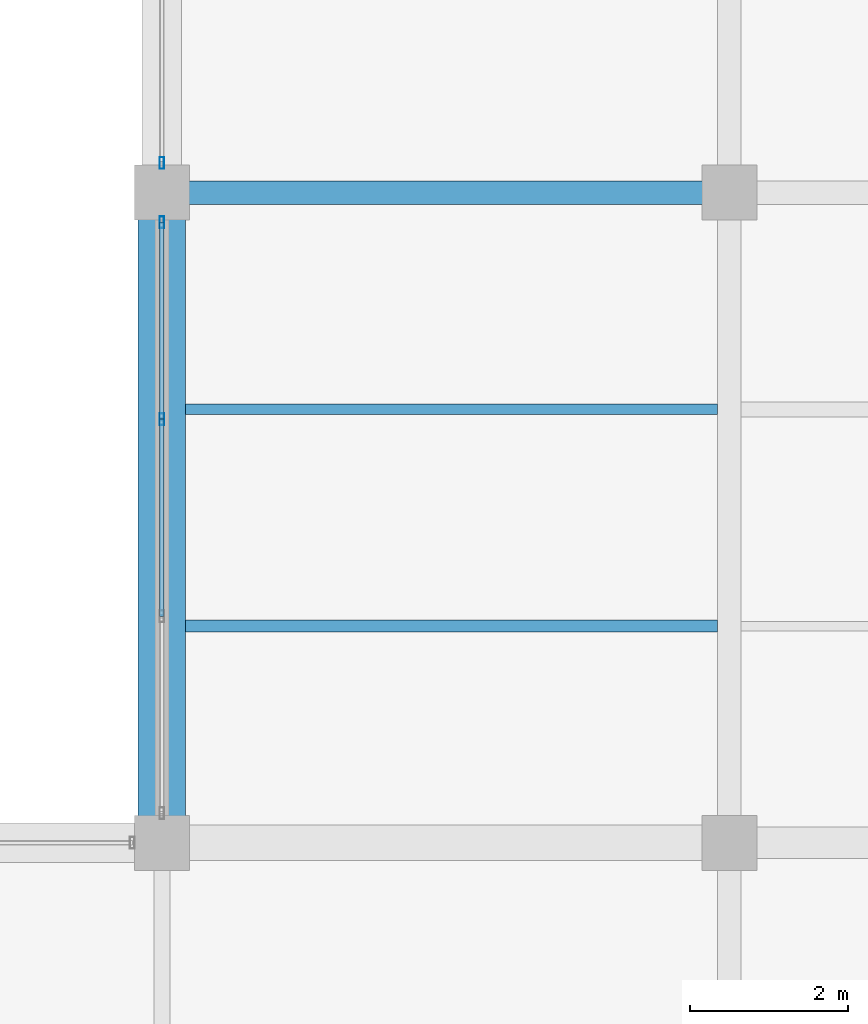
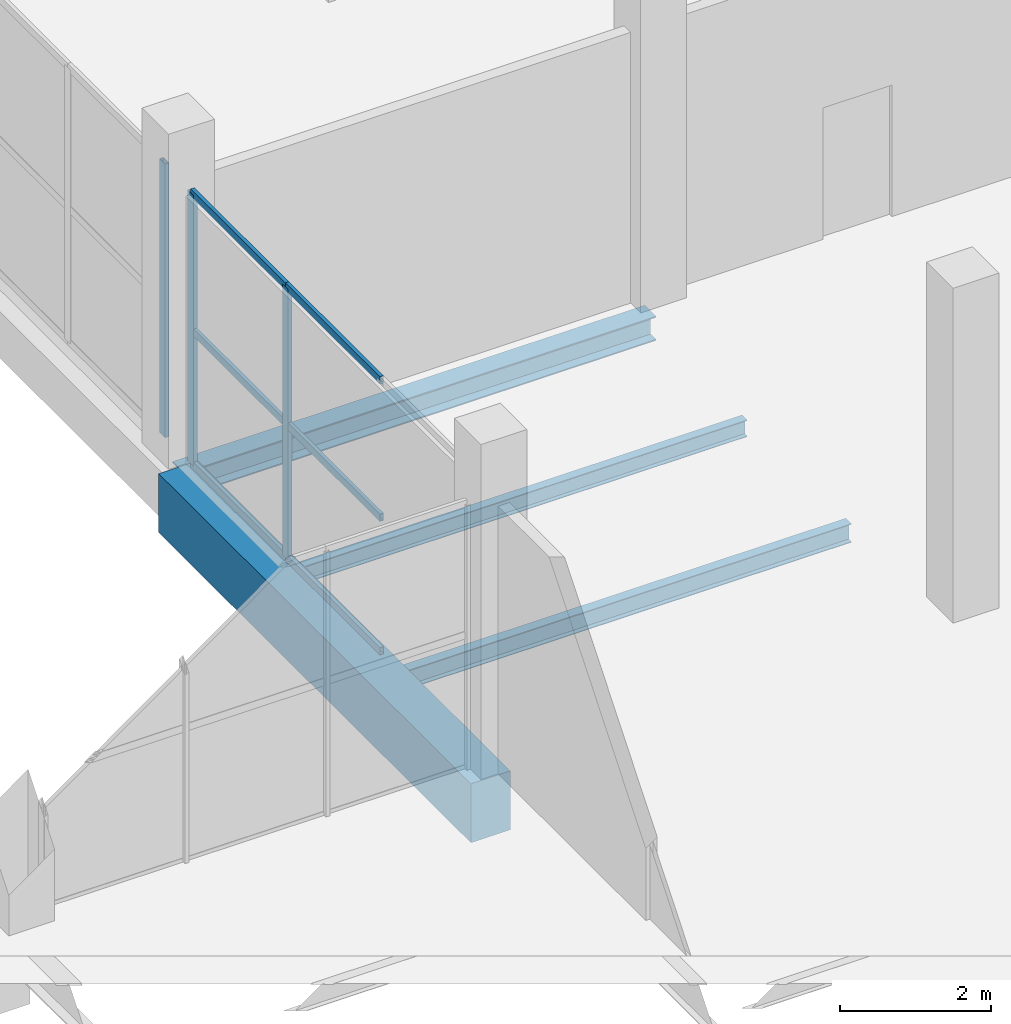
# One storey, part 105 of 147: 9 members, 4 beams, 2 elements without a shape of their own.
"""IFC4 building model written with IfcOpenShell, lengths in metres."""

from ifc_helpers import new_model, si_unit, direction, frame, origin, origin_2d, place, context, subcontext, project, spatial, rectangle, hollow_rectangle, i_section, extrude, material, layer, layer_set, material_profile, profile_set, type_object, element, aggregate, save


model = new_model("IFC4")

# Units and contexts
model_context = context("Model", 3, precision=1e-05, world=origin(), true_north=direction((0.0, 1.0)))
body_context = subcontext(model_context, "Body", "Model", "MODEL_VIEW")
ifc_project = project(units=[si_unit("LENGTHUNIT", "METRE"), si_unit("AREAUNIT", "SQUARE_METRE"), si_unit("VOLUMEUNIT", "CUBIC_METRE"), si_unit("PLANEANGLEUNIT", "RADIAN"), si_unit("MASSUNIT", "GRAM", prefix="KILO")], contexts=[model_context])

# Site, building, storey
site_placement = place(None, origin())
site = spatial("IfcSite", under=ifc_project, at=site_placement, CompositionType="ELEMENT")
building_placement = place(site_placement, origin())
building = spatial("IfcBuilding", under=site, at=building_placement, Name="Sundgate Opera House", CompositionType="ELEMENT")
storey_placement = place(building_placement, frame((0.0, 0.0, 6.0)))
storey = spatial("IfcBuildingStorey", under=building, at=storey_placement, Name="L01", CompositionType="ELEMENT", Elevation=6.0)

# Beams
ifc_material_1 = material(Name="Steel S355J2", Category="steel")
ifc_material_profile_1 = material_profile(ifc_material_1, i_section(OverallWidth=0.300048828125, OverallDepth=0.389892578125, WebThickness=0.010986328125, FlangeThickness=0.01904296875, at=origin_2d()), Name="HEA 400")
ifc_profile_set_1 = profile_set([ifc_material_profile_1], Name="Steel S355J2")
beam_type_1 = type_object("IfcBeamType", Name="BM-GR-HEA400", PredefinedType="BEAM", material=ifc_profile_set_1)
beam_1_placement = place(storey_placement, frame((153.0, 95.25, -0.4951171875), z_axis=(1.0, 0.0, 0.0), x_axis=(0.0, 1.0, 0.0)))
element("IfcBeam", 1, at=beam_1_placement, inside=storey, type_object=beam_type_1, Name="L01 Primary E-W Girder B1413", PredefinedType="BEAM", context=body_context, shape_type="SweptSolid", body=[
    extrude(i_section(OverallWidth=0.300048828125, OverallDepth=0.389892578125, WebThickness=0.010986328125, FlangeThickness=0.01904296875, at=origin_2d()), origin(), (0.0, 0.0, 1.0), 7.199951171875),
])
ifc_material_2 = material(Name="Steel S355J2", Category="steel")
ifc_material_profile_2 = material_profile(ifc_material_2, i_section(OverallWidth=0.135009765625, OverallDepth=0.27001953125, WebThickness=0.006591796875, FlangeThickness=0.01025390625, at=origin_2d()), Name="IPE 270")
ifc_profile_set_2 = profile_set([ifc_material_profile_2], Name="Steel S355J2")
beam_type_2 = type_object("IfcBeamType", Name="BM-JS-IPE270", PredefinedType="JOIST", material=ifc_profile_set_2)
beam_2_placement = place(storey_placement, frame((153.300048828125, 92.5, -0.43505859375), z_axis=(1.0, 0.0, 0.0), x_axis=(0.0, 1.0, 0.0)))
element("IfcBeam", 2, at=beam_2_placement, inside=storey, type_object=beam_type_2, Name="L01 Secondary Floor Joist B1671", PredefinedType="JOIST", context=body_context, shape_type="SweptSolid", body=[
    extrude(i_section(OverallWidth=0.135009765625, OverallDepth=0.27001953125, WebThickness=0.006591796875, FlangeThickness=0.01025390625, at=origin_2d()), origin(), (0.0, 0.0, 1.0), 6.75),
])
ifc_material_3 = material(Name="Steel S355J2", Category="steel")
ifc_material_profile_3 = material_profile(ifc_material_3, i_section(OverallWidth=0.14990234375, OverallDepth=0.300048828125, WebThickness=0.007080078125, FlangeThickness=0.0107421875, at=origin_2d()), Name="IPE 300")
ifc_profile_set_3 = profile_set([ifc_material_profile_3], Name="Steel S355J2")
beam_type_3 = type_object("IfcBeamType", Name="BM-JS-IPE300", PredefinedType="JOIST", material=ifc_profile_set_3)
beam_3_placement = place(storey_placement, frame((153.300048828125, 89.75, -0.449951171875), z_axis=(1.0, 0.0, 0.0), x_axis=(0.0, 1.0, 0.0)))
element("IfcBeam", 3, at=beam_3_placement, inside=storey, type_object=beam_type_3, Name="L01 Secondary Floor Joist B1670", PredefinedType="JOIST", context=body_context, shape_type="SweptSolid", body=[
    extrude(i_section(OverallWidth=0.14990234375, OverallDepth=0.300048828125, WebThickness=0.007080078125, FlangeThickness=0.0107421875, at=origin_2d()), origin(), (0.0, 0.0, 1.0), 6.75),
])
ifc_material_4 = material(Name="Concrete C40/50", Category="concrete")
ifc_material_profile_4 = material_profile(ifc_material_4, rectangle(XDim=0.60009765625, YDim=0.949951171875, at=origin_2d()), Name="RC 600x950")
ifc_profile_set_4 = profile_set([ifc_material_profile_4], Name="Concrete C40/50")
beam_type_4 = type_object("IfcBeamType", Name="BM-RC-600x950", PredefinedType="BEAM", material=ifc_profile_set_4)
beam_4_placement = place(storey_placement, frame((153.0, 87.0, -0.77490234375), z_axis=(0.0, 1.0, 0.0), x_axis=(-1.0, 0.0, 0.0)))
element("IfcBeam", 4, at=beam_4_placement, inside=storey, type_object=beam_type_4, Name="L01 Primary N-S Girder B1243", PredefinedType="BEAM", context=body_context, shape_type="SweptSolid", body=[
    extrude(rectangle(XDim=0.60009765625, YDim=0.949951171875, at=origin_2d()), origin(), (0.0, 0.0, 1.0), 8.25),
])

# Curtain wall, members
ifc_material_5 = material(Name="Anodized aluminium and low-iron glass", Category="aluminium")
ifc_layer = layer(ifc_material_5, 0.159912109375)
ifc_layer_set = layer_set([ifc_layer], Name="Anodized aluminium and low-iron glass")
curtain_wall_type = type_object("IfcCurtainWallType", Name="CW-STUDIO-DARK", PredefinedType="NOTDEFINED", material=ifc_layer_set)
curtain_wall_1_placement = place(storey_placement, origin())
curtain_wall_1 = element("IfcCurtainWall", 5, at=curtain_wall_1_placement, inside=storey, type_object=curtain_wall_type, Name="L01 Curtain Wall CW103", PredefinedType="NOTDEFINED")
ifc_material_6 = material(Name="Anodized aluminium EN AW-6063", Category="aluminium")
ifc_material_profile_5 = material_profile(ifc_material_6, hollow_rectangle(XDim=0.06005859375, YDim=0.14990234375, WallThickness=0.00390625, at=origin_2d()), Name="CWM 150x60x4")
ifc_profile_set_5 = profile_set([ifc_material_profile_5], Name="Anodized aluminium EN AW-6063")
member_type_1 = type_object("IfcMemberType", Name="CWM-ALU-150x60", PredefinedType="MULLION", material=ifc_profile_set_5)
member_1_placement = place(storey_placement, frame((153.0, 94.875, 0.0), z_axis=(0.0, 0.0, 1.0), x_axis=(1.0, 0.0, 0.0)))
member_1 = element("IfcMember", 6, at=member_1_placement, type_object=member_type_1, Name="CW103 Mullion 1", PredefinedType="MULLION", context=body_context, shape_type="SweptSolid", body=[
    extrude(hollow_rectangle(XDim=0.06005859375, YDim=0.14990234375, WallThickness=0.00390625, at=origin_2d()), origin(), (0.0, 0.0, 1.0), 4.364990234375),
])
member_2_placement = place(storey_placement, frame((153.0, 92.375, 0.0), z_axis=(0.0, 0.0, 1.0), x_axis=(1.0, 0.0, 0.0)))
member_2 = element("IfcMember", 7, at=member_2_placement, type_object=member_type_1, Name="CW103 Mullion 2", PredefinedType="MULLION", context=body_context, shape_type="SweptSolid", body=[
    extrude(hollow_rectangle(XDim=0.06005859375, YDim=0.14990234375, WallThickness=0.00390625, at=origin_2d()), origin(), (0.0, 0.0, 1.0), 4.364990234375),
])

# Curtain wall, member
curtain_wall_2_placement = place(storey_placement, origin())
curtain_wall_2 = element("IfcCurtainWall", 8, at=curtain_wall_2_placement, inside=storey, type_object=curtain_wall_type, Name="L01 Curtain Wall CW105", PredefinedType="NOTDEFINED")
member_3_placement = place(storey_placement, frame((153.0, 95.625, 0.0), z_axis=(0.0, 0.0, 1.0), x_axis=(1.0, 0.0, 0.0)))
member_3 = element("IfcMember", 9, at=member_3_placement, type_object=member_type_1, Name="CW105 Mullion 4", PredefinedType="MULLION", context=body_context, shape_type="SweptSolid", body=[
    extrude(hollow_rectangle(XDim=0.06005859375, YDim=0.14990234375, WallThickness=0.00390625, at=origin_2d()), origin(), (0.0, 0.0, 1.0), 4.4150390625),
])
aggregate(curtain_wall_2, [member_3])

# Member
ifc_material_7 = material(Name="Anodized aluminium EN AW-6063", Category="aluminium")
ifc_material_profile_6 = material_profile(ifc_material_7, hollow_rectangle(XDim=0.054931640625, YDim=0.1201171875, WallThickness=0.00390625, at=origin_2d()), Name="CWT 120x55x4")
ifc_profile_set_6 = profile_set([ifc_material_profile_6], Name="Anodized aluminium EN AW-6063")
member_type_2 = type_object("IfcMemberType", Name="CWT-ALU-120x55", PredefinedType="USERDEFINED", material=ifc_profile_set_6)
member_4_placement = place(storey_placement, frame((153.0, 94.875, 0.0), z_axis=(0.0, -1.0, 0.0), x_axis=(1.0, 0.0, 0.0)))
member_4 = element("IfcMember", 10, at=member_4_placement, type_object=member_type_2, Name="CW103 Transom 1", ObjectType="TRANSOM", PredefinedType="USERDEFINED", context=body_context, shape_type="SweptSolid", body=[
    extrude(hollow_rectangle(XDim=0.054931640625, YDim=0.1201171875, WallThickness=0.00390625, at=origin_2d()), origin(), (0.0, 0.0, 1.0), 2.5),
])

member_5_placement = place(storey_placement, frame((153.0, 94.875, 2.14990234375), z_axis=(0.0, -1.0, 0.0), x_axis=(1.0, 0.0, 0.0)))
member_5 = element("IfcMember", 11, at=member_5_placement, type_object=member_type_2, Name="CW103 Transom 2", ObjectType="TRANSOM", PredefinedType="USERDEFINED", context=body_context, shape_type="SweptSolid", body=[
    extrude(hollow_rectangle(XDim=0.054931640625, YDim=0.1201171875, WallThickness=0.00390625, at=origin_2d()), origin(), (0.0, 0.0, 1.0), 2.5),
])

member_6_placement = place(storey_placement, frame((153.0, 94.875, 4.364990234375), z_axis=(0.0, -1.0, 0.0), x_axis=(1.0, 0.0, 0.0)))
member_6 = element("IfcMember", 12, at=member_6_placement, type_object=member_type_2, Name="CW103 Transom 3", ObjectType="TRANSOM", PredefinedType="USERDEFINED", context=body_context, shape_type="SweptSolid", body=[
    extrude(hollow_rectangle(XDim=0.054931640625, YDim=0.1201171875, WallThickness=0.00390625, at=origin_2d()), origin(), (0.0, 0.0, 1.0), 2.5),
])

member_7_placement = place(storey_placement, frame((153.0, 92.375, 0.0), z_axis=(0.0, -1.0, 0.0), x_axis=(1.0, 0.0, 0.0)))
member_7 = element("IfcMember", 13, at=member_7_placement, type_object=member_type_2, Name="CW103 Transom 4", ObjectType="TRANSOM", PredefinedType="USERDEFINED", context=body_context, shape_type="SweptSolid", body=[
    extrude(hollow_rectangle(XDim=0.054931640625, YDim=0.1201171875, WallThickness=0.00390625, at=origin_2d()), origin(), (0.0, 0.0, 1.0), 2.5),
])

member_8_placement = place(storey_placement, frame((153.0, 92.375, 2.14990234375), z_axis=(0.0, -1.0, 0.0), x_axis=(1.0, 0.0, 0.0)))
member_8 = element("IfcMember", 14, at=member_8_placement, type_object=member_type_2, Name="CW103 Transom 5", ObjectType="TRANSOM", PredefinedType="USERDEFINED", context=body_context, shape_type="SweptSolid", body=[
    extrude(hollow_rectangle(XDim=0.054931640625, YDim=0.1201171875, WallThickness=0.00390625, at=origin_2d()), origin(), (0.0, 0.0, 1.0), 2.5),
])

member_9_placement = place(storey_placement, frame((153.0, 92.375, 4.364990234375), z_axis=(0.0, -1.0, 0.0), x_axis=(1.0, 0.0, 0.0)))
member_9 = element("IfcMember", 15, at=member_9_placement, type_object=member_type_2, Name="CW103 Transom 6", ObjectType="TRANSOM", PredefinedType="USERDEFINED", context=body_context, shape_type="SweptSolid", body=[
    extrude(hollow_rectangle(XDim=0.054931640625, YDim=0.1201171875, WallThickness=0.00390625, at=origin_2d()), origin(), (0.0, 0.0, 1.0), 2.5),
])

aggregate(curtain_wall_1, [member_1, member_2, member_4, member_5, member_6, member_7, member_8, member_9])

save(model, "model.ifc")
